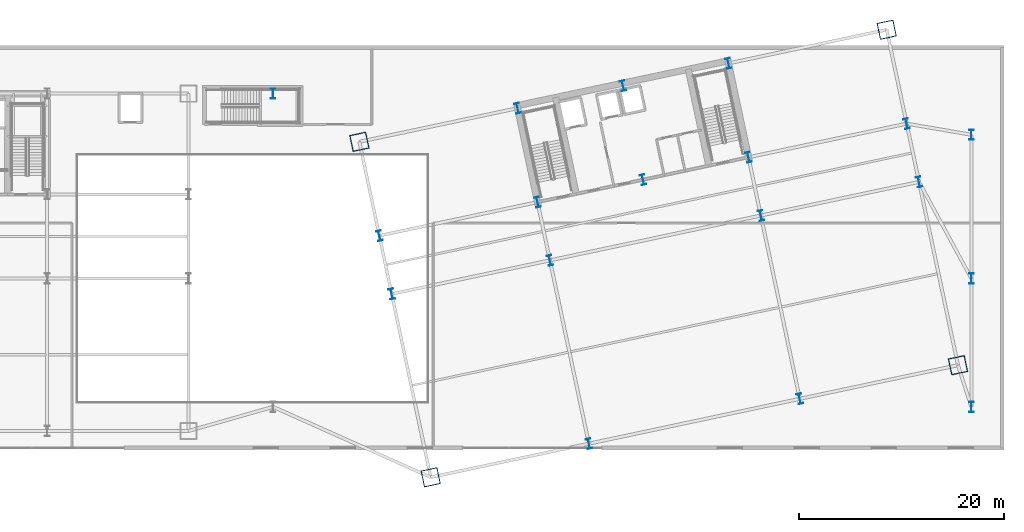
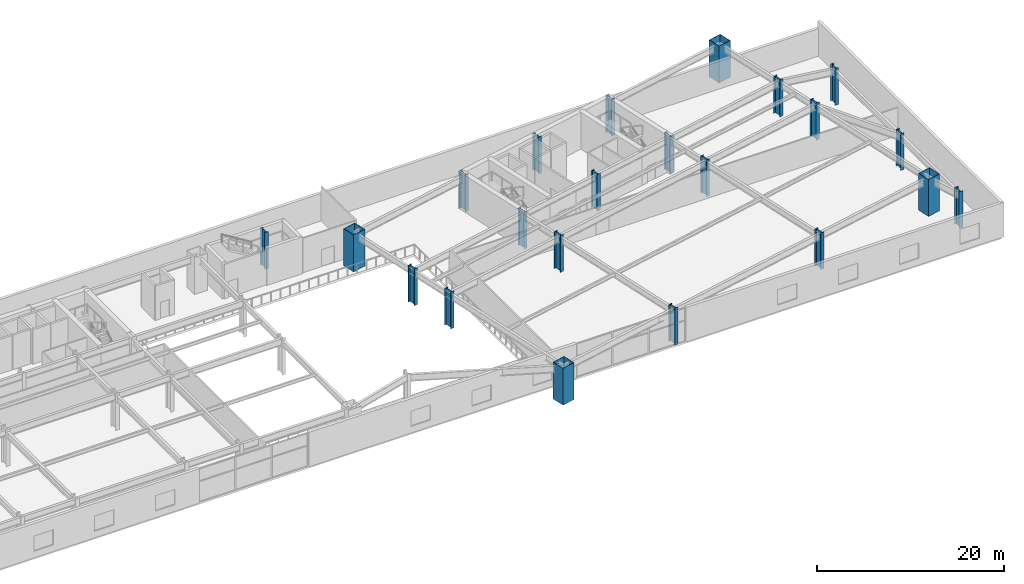
# One storey, part 2 of 25: 22 columns.
"""IFC4 building model written with IfcOpenShell, lengths in metres."""

from ifc_helpers import new_model, si_unit, direction, frame, origin, origin_2d, place, context, subcontext, project, spatial, hollow_rectangle, i_section, extrude, material, material_profile, profile_set, type_object, element, save


model = new_model("IFC4")

# Units and contexts
model_context = context("Model", 3, precision=1e-05, world=origin(), true_north=direction((0.0, 1.0)))
body_context = subcontext(model_context, "Body", "Model", "MODEL_VIEW")
ifc_project = project(units=[si_unit("LENGTHUNIT", "METRE"), si_unit("AREAUNIT", "SQUARE_METRE"), si_unit("VOLUMEUNIT", "CUBIC_METRE"), si_unit("PLANEANGLEUNIT", "RADIAN"), si_unit("MASSUNIT", "GRAM", prefix="KILO")], contexts=[model_context])

# Site, building, storey
site_placement = place(None, origin())
site = spatial("IfcSite", under=ifc_project, at=site_placement, CompositionType="ELEMENT")
building_placement = place(site_placement, origin())
building = spatial("IfcBuilding", under=site, at=building_placement, Name="Haevon Station Towers", CompositionType="ELEMENT")
storey_placement = place(building_placement, frame((0.0, 0.0, 6.0)))
storey = spatial("IfcBuildingStorey", under=building, at=storey_placement, Name="L01", CompositionType="ELEMENT", Elevation=6.0)

# Columns
ifc_material = material(Name="Steel S460", Category="steel")
ifc_material_profile_1 = material_profile(ifc_material, hollow_rectangle(XDim=1.60009765625, YDim=1.60009765625, WallThickness=0.0400390625, at=origin_2d()), Name="BOX-1600x1600x40")
ifc_profile_set_1 = profile_set([ifc_material_profile_1], Name="Steel S460")
column_type_1 = type_object("IfcColumnType", Name="COL-MC1", PredefinedType="COLUMN", material=ifc_profile_set_1)
for number, where, z_axis, x_axis, name in (
    (1, (88.346923828125, 10.643310546875, 0.0), (0.0, 0.0, 1.0), (0.978147600734, 0.207911690818, 0.0), "COL-T2-L01-01-01"),
    (2, (81.402587890625, 43.3134765625, 0.0), (0.0, 0.0, 1.0), (0.978147600734, 0.207911690818, 0.0), "COL-T2-L01-01-04"),
    (3, (139.699462890625, 21.558837890625, 0.0), (0.0, 0.0, 1.0), (0.978147600734, 0.207911690818, 0.0), "COL-T2-L01-05-01"),
    (4, (132.75537109375, 54.228759765625, 0.0), (0.0, 0.0, 1.0), (0.978147600734, 0.207911690818, 0.0), "COL-T2-L01-05-04"),
):
    element("IfcColumn", number, at=place(storey_placement, frame(where, z_axis=z_axis, x_axis=x_axis)), inside=storey, type_object=column_type_1, Name=name, PredefinedType="COLUMN", context=body_context, shape_type="SweptSolid", body=[
        extrude(hollow_rectangle(XDim=1.60009765625, YDim=1.60009765625, WallThickness=0.0400390625, at=origin_2d()), origin(), (0.0, 0.0, 1.0), 4.800048828125),
    ])
ifc_material_profile_2 = material_profile(ifc_material, i_section(OverallWidth=0.449951171875, OverallDepth=1.0, WebThickness=0.02197265625, FlangeThickness=0.0400390625, at=origin_2d()), Name="H-1000x450x22x40")
ifc_profile_set_2 = profile_set([ifc_material_profile_2], Name="Steel S460")
column_type_2 = type_object("IfcColumnType", Name="COL-POD1", PredefinedType="COLUMN", material=ifc_profile_set_2)
for number, where, z_axis, x_axis, name in (
    (5, (84.552490234375, 28.49462890625, 0.0), (0.0, 0.0, 1.0), (0.978147600734, 0.207911690818, 0.0), "COL-T2-L01-01-02"),
    (6, (83.346435546875, 34.167724609375, 0.0), (0.0, 0.0, 1.0), (0.978147600734, 0.207911690818, 0.0), "COL-T2-L01-01-03"),
    (7, (103.752685546875, 13.91796875, 0.0), (0.0, 0.0, 1.0), (0.978147600734, 0.207911690818, 0.0), "COL-T2-L01-02-01"),
    (8, (99.958251953125, 31.76904296875, 0.0), (0.0, 0.0, 1.0), (0.978147600734, 0.207911690818, 0.0), "COL-T2-L01-02-02"),
    (9, (98.75244140625, 37.4423828125, 0.0), (0.0, 0.0, 1.0), (0.978147600734, 0.207911690818, 0.0), "COL-T2-L01-02-03"),
    (10, (96.808349609375, 46.588134765625, 0.0), (0.0, 0.0, 1.0), (0.978147600734, 0.207911690818, 0.0), "COL-T2-L01-02-04"),
    (11, (109.02294921875, 39.62548828125, 0.0), (0.0, 0.0, 1.0), (0.978147600734, 0.207911690818, 0.0), "COL-T2-L01-03-03"),
    (12, (107.078857421875, 48.771240234375, 0.0), (0.0, 0.0, 1.0), (0.978147600734, 0.207911690818, 0.0), "COL-T2-L01-03-04"),
    (13, (124.293701171875, 18.2841796875, 0.0), (0.0, 0.0, 1.0), (0.978147600734, 0.207911690818, 0.0), "COL-T2-L01-04-01"),
    (14, (120.499267578125, 36.13525390625, 0.0), (0.0, 0.0, 1.0), (0.978147600734, 0.207911690818, 0.0), "COL-T2-L01-04-02"),
    (15, (119.29345703125, 41.80859375, 0.0), (0.0, 0.0, 1.0), (0.978147600734, 0.207911690818, 0.0), "COL-T2-L01-04-03"),
    (16, (117.349365234375, 50.954345703125, 0.0), (0.0, 0.0, 1.0), (0.978147600734, 0.207911690818, 0.0), "COL-T2-L01-04-04"),
    (17, (135.9052734375, 39.409912109375, 0.0), (0.0, 0.0, 1.0), (0.978147600734, 0.207911690818, 0.0), "COL-T2-L01-05-02"),
    (18, (134.69921875, 45.083251953125, 0.0), (0.0, 0.0, 1.0), (0.978147600734, 0.207911690818, 0.0), "COL-T2-L01-05-03"),
    (19, (73.0, 48.0, 0.0), (0.0, 0.0, 1.0), (1.0, 0.0, 0.0), "COL-POD-L01-M2"),
    (20, (141.0, 17.5, 0.0), (0.0, 0.0, 1.0), (1.0, 0.0, 0.0), "COL-POD-L01-E1"),
    (21, (141.0, 30.0, 0.0), (0.0, 0.0, 1.0), (1.0, 0.0, 0.0), "COL-POD-L01-E2"),
    (22, (141.0, 44.0, 0.0), (0.0, 0.0, 1.0), (1.0, 0.0, 0.0), "COL-POD-L01-E3"),
):
    element("IfcColumn", number, at=place(storey_placement, frame(where, z_axis=z_axis, x_axis=x_axis)), inside=storey, type_object=column_type_2, Name=name, PredefinedType="COLUMN", context=body_context, shape_type="SweptSolid", body=[
        extrude(i_section(OverallWidth=0.449951171875, OverallDepth=1.0, WebThickness=0.02197265625, FlangeThickness=0.0400390625, at=origin_2d()), origin(), (0.0, 0.0, 1.0), 4.800048828125),
    ])

save(model, "model.ifc")
